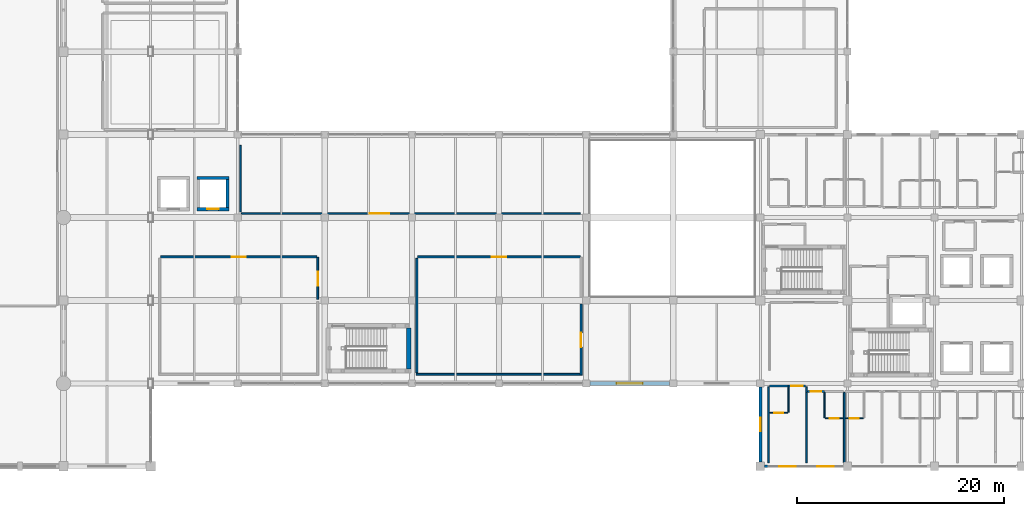
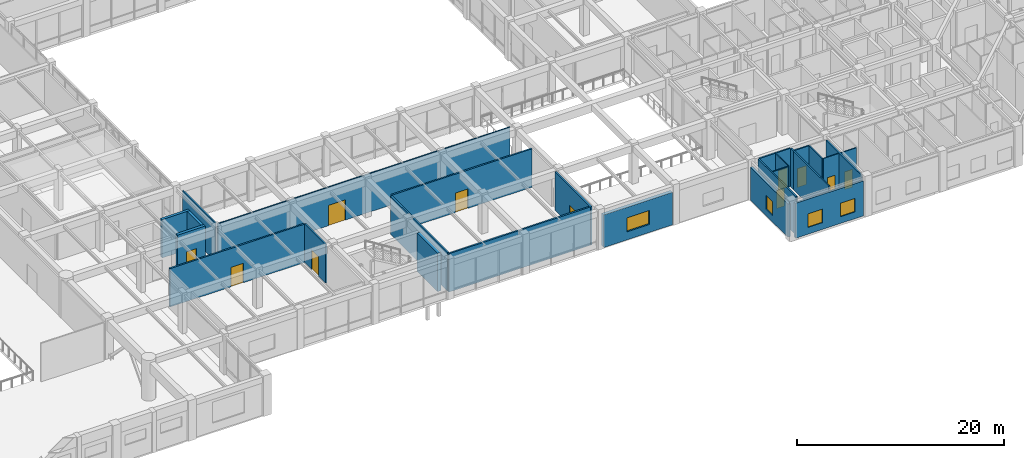
# One storey, part 52 of 76: 27 walls, 11 doors, 4 windows, 15 openings.
"""IFC4 building model written with IfcOpenShell, lengths in metres."""

from ifc_helpers import new_model, si_unit, direction, frame, frame_2d, origin, place, context, subcontext, project, spatial, rectangle, extrude, material, layer, layer_set, type_object, element, fill, save


model = new_model("IFC4")

# Units and contexts
model_context = context("Model", 3, precision=1e-05, world=origin(), true_north=direction((0.0, 1.0)))
body_context = subcontext(model_context, "Body", "Model", "MODEL_VIEW")
ifc_project = project(units=[si_unit("LENGTHUNIT", "METRE"), si_unit("AREAUNIT", "SQUARE_METRE"), si_unit("VOLUMEUNIT", "CUBIC_METRE"), si_unit("PLANEANGLEUNIT", "RADIAN"), si_unit("MASSUNIT", "GRAM", prefix="KILO")], contexts=[model_context])

# Site, building, storey
site_placement = place(None, origin())
site = spatial("IfcSite", under=ifc_project, at=site_placement, CompositionType="ELEMENT")
building_placement = place(site_placement, origin())
building = spatial("IfcBuilding", under=site, at=building_placement, Name="Naruveol Harbour Congress Hotel", CompositionType="ELEMENT")
storey_placement = place(building_placement, frame((0.0, 0.0, 11.39990234375)))
storey = spatial("IfcBuildingStorey", under=building, at=storey_placement, Name="L02", CompositionType="ELEMENT", Elevation=11.39990234375)

# Wall, opening, door
ifc_material_1 = material(Name="Autoclaved Aerated Concrete Block", Category="concrete")
ifc_layer_1 = layer(ifc_material_1, 0.179931640625)
ifc_layer_set_1 = layer_set([ifc_layer_1], Name="Autoclaved Aerated Concrete Block")
wall_type_1 = type_object("IfcWallType", Name="ACOUSTIC HALL PARTITION WALL 180 EI60", PredefinedType="PARTITIONING", material=ifc_layer_set_1)
wall_1_placement = place(storey_placement, frame((59.760009765625, 20.199951171875, 0.0), z_axis=(0.0, 0.0, 1.0), x_axis=(1.0, 0.0, 0.0)))
wall_1 = element("IfcWall", 1, at=wall_1_placement, inside=storey, type_object=wall_type_1, Name="Diplomatic Briefing Suite 201 north entry wall PW-180", PredefinedType="PARTITIONING", context=body_context, shape_type="SweptSolid", body=[
    extrude(rectangle(XDim=15.080078125, YDim=0.179931640625, at=frame_2d((7.5400390625, 0.0))), origin(), (0.0, 0.0, 1.0), 4.53515625),
])
opening_1_placement = place(wall_1_placement, frame((6.85009765625, 0.0, 0.0)))
opening_1 = element("IfcOpeningElement", 2, at=opening_1_placement, cuts=wall_1, Name="Opening ID-BD-65", PredefinedType="OPENING", context=body_context, shape_type="SweptSolid", body=[
    extrude(rectangle(XDim=1.3798828125, YDim=2.300048828125, at=frame_2d((0.68994140625, 1.14990234375))), frame((0.0, 0.099853515625, 0.0), z_axis=(0.0, -1.0, 0.0), x_axis=(1.0, 0.0, 0.0)), (0.0, 0.0, 1.0), 0.199951171875),
])
ifc_material_2 = material(Name="Timber & Steel Acoustic Leaf", Category="steel")
door_type_1 = type_object("IfcDoorType", Name="BOARDROOM GLAZED DOUBLE DOOR 1380X2300", OperationType="DOUBLE_DOOR_SINGLE_SWING", PredefinedType="DOOR", material=ifc_material_2)
door_1_placement = place(opening_1_placement, origin())
door_1 = element("IfcDoor", 3, at=door_1_placement, inside=storey, type_object=door_type_1, Name="Diplomatic Briefing Suite 201 Entrance Door", OperationType="DOUBLE_DOOR_SINGLE_SWING", OverallHeight=2.300048828125, OverallWidth=1.3798828125, PredefinedType="DOOR", context=body_context, shape_type="SweptSolid", body=[
    extrude(rectangle(XDim=1.3798828125, YDim=2.300048828125, at=frame_2d((0.68994140625, 1.14990234375))), frame((0.0, 0.02490234375, 0.0), z_axis=(0.0, -1.0, 0.0), x_axis=(1.0, 0.0, 0.0)), (0.0, 0.0, 1.0), 0.050048828125),
])
fill(opening_1, door_1)

wall_2_placement = place(storey_placement, frame((84.56005859375, 20.199951171875, 0.0), z_axis=(0.0, 0.0, 1.0), x_axis=(1.0, 0.0, 0.0)))
wall_2 = element("IfcWall", 4, at=wall_2_placement, inside=storey, type_object=wall_type_1, Name="International Press Conference Room north entry wall PW-180", PredefinedType="PARTITIONING", context=body_context, shape_type="SweptSolid", body=[
    extrude(rectangle(XDim=15.679931640625, YDim=0.179931640625, at=frame_2d((7.83984375, 0.0))), origin(), (0.0, 0.0, 1.0), 4.53515625),
])
opening_2_placement = place(wall_2_placement, frame((7.14990234375, 0.0, 0.0)))
opening_2 = element("IfcOpeningElement", 5, at=opening_2_placement, cuts=wall_2, Name="Opening ID-BD-66", PredefinedType="OPENING", context=body_context, shape_type="SweptSolid", body=[
    extrude(rectangle(XDim=1.3798828125, YDim=2.300048828125, at=frame_2d((0.68994140625, 1.14990234375))), frame((0.0, 0.099853515625, 0.0), z_axis=(0.0, -1.0, 0.0), x_axis=(1.0, 0.0, 0.0)), (0.0, 0.0, 1.0), 0.199951171875),
])
door_2_placement = place(opening_2_placement, origin())
door_2 = element("IfcDoor", 6, at=door_2_placement, inside=storey, type_object=door_type_1, Name="International Press Conference Room Entrance Door", OperationType="DOUBLE_DOOR_SINGLE_SWING", OverallHeight=2.300048828125, OverallWidth=1.3798828125, PredefinedType="DOOR", context=body_context, shape_type="SweptSolid", body=[
    extrude(rectangle(XDim=1.3798828125, YDim=2.300048828125, at=frame_2d((0.68994140625, 1.14990234375))), frame((0.0, 0.02490234375, 0.0), z_axis=(0.0, -1.0, 0.0), x_axis=(1.0, 0.0, 0.0)), (0.0, 0.0, 1.0), 0.050048828125),
])
fill(opening_2, door_2)

# Wall
wall_3_placement = place(storey_placement, frame((84.47998046875, 9.050048828125, 0.0), z_axis=(0.0, 0.0, 1.0), x_axis=(0.0, 1.0, 0.0)))
element("IfcWall", 7, at=wall_3_placement, inside=storey, type_object=wall_type_1, Name="International Press Conference Room west partition PW-180", PredefinedType="PARTITIONING", context=body_context, shape_type="SweptSolid", body=[
    extrude(rectangle(XDim=11.010009765625, YDim=0.179931640625, at=frame_2d((5.5048828125, 0.0))), origin(), (0.0, 0.0, 1.0), 4.53515625),
])

# Wall, opening, door
wall_4_placement = place(storey_placement, frame((74.919921875, 16.10009765625, 0.0), z_axis=(0.0, 0.0, 1.0), x_axis=(0.0, 1.0, 0.0)))
wall_4 = element("IfcWall", 8, at=wall_4_placement, inside=storey, type_object=wall_type_1, Name="Diplomatic Briefing Suite 201 east enclosure partition PW-180", PredefinedType="PARTITIONING", context=body_context, shape_type="SweptSolid", body=[
    extrude(rectangle(XDim=4.06787109375, YDim=0.179931640625, at=frame_2d((2.033935546875, 0.0))), origin(), (0.0, 0.0, 1.0), 4.53515625),
])
opening_3_placement = place(wall_4_placement, frame((1.300048828125, 0.0, 0.0)))
opening_3 = element("IfcOpeningElement", 9, at=opening_3_placement, cuts=wall_4, Name="Opening ID-BD-65B", PredefinedType="OPENING", context=body_context, shape_type="SweptSolid", body=[
    extrude(rectangle(XDim=1.3798828125, YDim=2.300048828125, at=frame_2d((0.68994140625, 1.14990234375))), frame((0.0, 0.099853515625, 0.0), z_axis=(0.0, -1.0, 0.0), x_axis=(1.0, 0.0, 0.0)), (0.0, 0.0, 1.0), 0.199951171875),
])
door_3_placement = place(opening_3_placement, origin())
door_3 = element("IfcDoor", 10, at=door_3_placement, inside=storey, type_object=door_type_1, Name="Diplomatic Briefing Suite 201 Second Exit Door", OperationType="DOUBLE_DOOR_SINGLE_SWING", OverallHeight=2.300048828125, OverallWidth=1.3798828125, PredefinedType="DOOR", context=body_context, shape_type="SweptSolid", body=[
    extrude(rectangle(XDim=1.3798828125, YDim=2.300048828125, at=frame_2d((0.68994140625, 1.14990234375))), frame((0.0, 0.02490234375, 0.0), z_axis=(0.0, -1.0, 0.0), x_axis=(1.0, 0.0, 0.0)), (0.0, 0.0, 1.0), 0.050048828125),
])
fill(opening_3, door_3)

wall_5_placement = place(storey_placement, frame((100.320068359375, 8.800048828125, 0.0), z_axis=(0.0, 0.0, 1.0), x_axis=(0.0, 1.0, 0.0)))
wall_5 = element("IfcWall", 11, at=wall_5_placement, inside=storey, type_object=wall_type_1, Name="International Press Conference Room east enclosure partition PW-180", PredefinedType="PARTITIONING", context=body_context, shape_type="SweptSolid", body=[
    extrude(rectangle(XDim=6.85498046875, YDim=0.179931640625, at=frame_2d((3.427490234375, 0.0))), origin(), (0.0, 0.0, 1.0), 4.53515625),
])
opening_4_placement = place(wall_5_placement, frame((2.699951171875, 0.0, 0.0)))
opening_4 = element("IfcOpeningElement", 12, at=opening_4_placement, cuts=wall_5, Name="Opening ID-BD-66B", PredefinedType="OPENING", context=body_context, shape_type="SweptSolid", body=[
    extrude(rectangle(XDim=1.3798828125, YDim=2.300048828125, at=frame_2d((0.68994140625, 1.14990234375))), frame((0.0, 0.099853515625, 0.0), z_axis=(0.0, -1.0, 0.0), x_axis=(1.0, 0.0, 0.0)), (0.0, 0.0, 1.0), 0.199951171875),
])
door_4_placement = place(opening_4_placement, origin())
door_4 = element("IfcDoor", 13, at=door_4_placement, inside=storey, type_object=door_type_1, Name="International Press Conference Room Second Exit Door", OperationType="DOUBLE_DOOR_SINGLE_SWING", OverallHeight=2.300048828125, OverallWidth=1.3798828125, PredefinedType="DOOR", context=body_context, shape_type="SweptSolid", body=[
    extrude(rectangle(XDim=1.3798828125, YDim=2.300048828125, at=frame_2d((0.68994140625, 1.14990234375))), frame((0.0, 0.02490234375, 0.0), z_axis=(0.0, -1.0, 0.0), x_axis=(1.0, 0.0, 0.0)), (0.0, 0.0, 1.0), 0.050048828125),
])
fill(opening_4, door_4)

# Wall
wall_6_placement = place(storey_placement, frame((84.39990234375, 8.8798828125, 0.0), z_axis=(0.0, 0.0, 1.0), x_axis=(1.0, 0.0, 0.0)))
element("IfcWall", 14, at=wall_6_placement, inside=storey, type_object=wall_type_1, Name="International Press Conference Room south enclosure partition PW-180", PredefinedType="PARTITIONING", context=body_context, shape_type="SweptSolid", body=[
    extrude(rectangle(XDim=15.830078125, YDim=0.179931640625, at=frame_2d((7.9150390625, 0.0))), origin(), (0.0, 0.0, 1.0), 4.53515625),
])

# Wall, opening, door
ifc_material_3 = material(Name="Acoustic Double Stud Gypsum", Category="gypsum")
ifc_layer_2 = layer(ifc_material_3, 0.139892578125)
ifc_layer_set_2 = layer_set([ifc_layer_2], Name="Acoustic Double Stud Gypsum")
wall_type_2 = type_object("IfcWallType", Name="ACOUSTIC MEETING PARTITION WALL 140", PredefinedType="PARTITIONING", material=ifc_layer_set_2)
wall_7_placement = place(storey_placement, frame((67.56005859375, 24.39990234375, 0.0), z_axis=(0.0, 0.0, 1.0), x_axis=(1.0, 0.0, 0.0)))
wall_7 = element("IfcWall", 15, at=wall_7_placement, inside=storey, type_object=wall_type_2, Name="Courtyard Delegates Exhibition Salon south entry wall PW-140", PredefinedType="PARTITIONING", context=body_context, shape_type="SweptSolid", body=[
    extrude(rectangle(XDim=32.679931640625, YDim=0.139892578125, at=frame_2d((16.33984375, 0.0))), origin(), (0.0, 0.0, 1.0), 4.53515625),
])
opening_5_placement = place(wall_7_placement, frame((12.360107421875, 0.0, 0.0)))
opening_5 = element("IfcOpeningElement", 16, at=opening_5_placement, cuts=wall_7, Name="Opening ID-LG-67", PredefinedType="OPENING", context=body_context, shape_type="SweptSolid", body=[
    extrude(rectangle(XDim=1.89990234375, YDim=2.39990234375, at=frame_2d((0.949951171875, 1.199951171875))), frame((0.0, 0.079833984375, 0.0), z_axis=(0.0, -1.0, 0.0), x_axis=(1.0, 0.0, 0.0)), (0.0, 0.0, 1.0), 0.159912109375),
])
ifc_material_4 = material(Name="Timber & Steel Acoustic Leaf", Category="steel")
door_type_2 = type_object("IfcDoorType", Name="RESTAURANT AND LOUNGE GLAZED DOOR 1900X2400", OperationType="DOUBLE_DOOR_SINGLE_SWING", PredefinedType="DOOR", material=ifc_material_4)
door_5_placement = place(opening_5_placement, origin())
door_5 = element("IfcDoor", 17, at=door_5_placement, inside=storey, type_object=door_type_2, Name="Courtyard Delegates Exhibition Salon Entrance Door", OperationType="DOUBLE_DOOR_SINGLE_SWING", OverallHeight=2.39990234375, OverallWidth=1.89990234375, PredefinedType="DOOR", context=body_context, shape_type="SweptSolid", body=[
    extrude(rectangle(XDim=1.89990234375, YDim=2.39990234375, at=frame_2d((0.949951171875, 1.199951171875))), frame((0.0, 0.02490234375, 0.0), z_axis=(0.0, -1.0, 0.0), x_axis=(1.0, 0.0, 0.0)), (0.0, 0.0, 1.0), 0.050048828125),
])
fill(opening_5, door_5)

# Wall
wall_8_placement = place(storey_placement, frame((67.47998046875, 24.5400390625, 0.0), z_axis=(0.0, 0.0, 1.0), x_axis=(0.0, 1.0, 0.0)))
element("IfcWall", 18, at=wall_8_placement, inside=storey, type_object=wall_type_2, Name="Courtyard Delegates Exhibition Salon west partition PW-140", PredefinedType="PARTITIONING", context=body_context, shape_type="SweptSolid", body=[
    extrude(rectangle(XDim=6.409912109375, YDim=0.139892578125, at=frame_2d((3.205078125, 0.0))), origin(), (0.0, 0.0, 1.0), 4.53515625),
])

# Wall, opening, window
ifc_material_5 = material(Name="Precast concrete C40/50", Category="concrete")
ifc_layer_3 = layer(ifc_material_5, 0.280029296875)
ifc_layer_set_3 = layer_set([ifc_layer_3], Name="Precast concrete C40/50")
wall_type_3 = type_object("IfcWallType", Name="ARCHITECTURAL PRECAST FACADE WALL 280", PredefinedType="SOLIDWALL", material=ifc_layer_set_3)
wall_9_placement = place(storey_placement, frame((117.60009765625, 0.39990234375, 0.0), z_axis=(0.0, 0.0, 1.0), x_axis=(0.0, 1.0, 0.0)))
wall_9 = element("IfcWall", 19, at=wall_9_placement, inside=storey, type_object=wall_type_3, Name="Hotel west gable wall L02 EW-280", PredefinedType="SOLIDWALL", context=body_context, shape_type="SweptSolid", body=[
    extrude(rectangle(XDim=7.25, YDim=0.280029296875, at=frame_2d((3.625, 0.0))), origin(), (0.0, 0.0, 1.0), 3.900146484375),
])
opening_6_placement = place(wall_9_placement, frame((2.97509765625, 0.0, 0.75)))
opening_6 = element("IfcOpeningElement", 20, at=opening_6_placement, cuts=wall_9, Name="Opening W-27", PredefinedType="OPENING", context=body_context, shape_type="SweptSolid", body=[
    extrude(rectangle(XDim=1.300048828125, YDim=1.64990234375, at=frame_2d((0.64990234375, 0.824951171875))), frame((0.0, 0.14990234375, 0.0), z_axis=(0.0, -1.0, 0.0), x_axis=(1.0, 0.0, 0.0)), (0.0, 0.0, 1.0), 0.300048828125),
])
ifc_material_6 = material(Name="Low-E Triple Glazing in Thermal Aluminium", Category="aluminium")
window_type_1 = type_object("IfcWindowType", Name="READING SALON TALL WINDOW 1300X1650", PartitioningType="SINGLE_PANEL", PredefinedType="WINDOW", material=ifc_material_6)
window_1_placement = place(opening_6_placement, origin())
window_1 = element("IfcWindow", 21, at=window_1_placement, inside=storey, type_object=window_type_1, Name="Window W-27 #224", OverallHeight=1.64990234375, OverallWidth=1.300048828125, PartitioningType="SINGLE_PANEL", PredefinedType="WINDOW", context=body_context, shape_type="SweptSolid", body=[
    extrude(rectangle(XDim=1.300048828125, YDim=1.64990234375, at=frame_2d((0.64990234375, 0.824951171875))), frame((0.0, 0.030029296875, 0.0), z_axis=(0.0, -1.0, 0.0), x_axis=(1.0, 0.0, 0.0)), (0.0, 0.0, 1.0), 0.06005859375),
])
fill(opening_6, window_1)

# Wall
ifc_material_7 = material(Name="Moisture-Resistant Gypsum Partition", Category="gypsum")
ifc_layer_4 = layer(ifc_material_7, 0.114990234375)
ifc_layer_set_4 = layer_set([ifc_layer_4], Name="Moisture-Resistant Gypsum Partition")
wall_type_4 = type_object("IfcWallType", Name="BATHROOM MOISTURE PARTITION WALL 115", PredefinedType="PARTITIONING", material=ifc_layer_set_4)
wall_10_placement = place(storey_placement, frame((120.31005859375, 5.219970703125, 0.0), z_axis=(0.0, 0.0, 1.0), x_axis=(0.0, 1.0, 0.0)))
element("IfcWall", 22, at=wall_10_placement, inside=storey, type_object=wall_type_4, Name="Bathroom east wall 0301 PW-115", PredefinedType="PARTITIONING", context=body_context, shape_type="SweptSolid", body=[
    extrude(rectangle(XDim=2.449951171875, YDim=0.114990234375, at=frame_2d((1.22509765625, 0.0))), origin(), (0.0, 0.0, 1.0), 4.53515625),
])

# Wall, opening, door
wall_11_placement = place(storey_placement, frame((118.5, 5.159912109375, 0.0), z_axis=(0.0, 0.0, 1.0), x_axis=(1.0, 0.0, 0.0)))
wall_11 = element("IfcWall", 23, at=wall_11_placement, inside=storey, type_object=wall_type_4, Name="Bathroom south wall 0301 PW-115", PredefinedType="PARTITIONING", context=body_context, shape_type="SweptSolid", body=[
    extrude(rectangle(XDim=1.75, YDim=0.114990234375, at=frame_2d((0.875, 0.0))), origin(), (0.0, 0.0, 1.0), 4.53515625),
])
opening_7_placement = place(wall_11_placement, frame((0.445068359375, 0.0, 0.0)))
opening_7 = element("IfcOpeningElement", 24, at=opening_7_placement, cuts=wall_11, Name="Opening BD-RM0301", PredefinedType="OPENING", context=body_context, shape_type="SweptSolid", body=[
    extrude(rectangle(XDim=0.860107421875, YDim=2.1201171875, at=frame_2d((0.43017578125, 1.06005859375))), frame((0.0, 0.0673828125, 0.0), z_axis=(0.0, -1.0, 0.0), x_axis=(1.0, 0.0, 0.0)), (0.0, 0.0, 1.0), 0.135009765625),
])
ifc_material_8 = material(Name="Timber & Steel Acoustic Leaf", Category="steel")
door_type_3 = type_object("IfcDoorType", Name="GUEST BATHROOM DOOR 860X2120", OperationType="NOTDEFINED", PredefinedType="DOOR", material=ifc_material_8)
door_6_placement = place(opening_7_placement, origin())
door_6 = element("IfcDoor", 25, at=door_6_placement, inside=storey, type_object=door_type_3, Name="Bathroom Door 0301", OperationType="SINGLE_SWING_RIGHT", OverallHeight=2.1201171875, OverallWidth=0.860107421875, PredefinedType="DOOR", context=body_context, shape_type="SweptSolid", body=[
    extrude(rectangle(XDim=0.860107421875, YDim=2.1201171875, at=frame_2d((0.43017578125, 1.06005859375))), frame((0.0, 0.02490234375, 0.0), z_axis=(0.0, -1.0, 0.0), x_axis=(1.0, 0.0, 0.0)), (0.0, 0.0, 1.0), 0.050048828125),
])
fill(opening_7, door_6)

# Wall
wall_12_placement = place(storey_placement, frame((123.780029296875, 4.68994140625, 0.0), z_axis=(0.0, 0.0, 1.0), x_axis=(0.0, 1.0, 0.0)))
element("IfcWall", 26, at=wall_12_placement, inside=storey, type_object=wall_type_4, Name="Bathroom west wall 0302 PW-115", PredefinedType="PARTITIONING", context=body_context, shape_type="SweptSolid", body=[
    extrude(rectangle(XDim=2.449951171875, YDim=0.114990234375, at=frame_2d((1.22509765625, 0.0))), origin(), (0.0, 0.0, 1.0), 4.53515625),
])

# Wall, opening, door
wall_13_placement = place(storey_placement, frame((123.840087890625, 4.6298828125, 0.0), z_axis=(0.0, 0.0, 1.0), x_axis=(1.0, 0.0, 0.0)))
wall_13 = element("IfcWall", 27, at=wall_13_placement, inside=storey, type_object=wall_type_4, Name="Bathroom south wall 0302 PW-115", PredefinedType="PARTITIONING", context=body_context, shape_type="SweptSolid", body=[
    extrude(rectangle(XDim=1.75, YDim=0.114990234375, at=frame_2d((0.875, 0.0))), origin(), (0.0, 0.0, 1.0), 4.53515625),
])
opening_8_placement = place(wall_13_placement, frame((0.445068359375, 0.0, 0.0)))
opening_8 = element("IfcOpeningElement", 28, at=opening_8_placement, cuts=wall_13, Name="Opening BD-RM0302", PredefinedType="OPENING", context=body_context, shape_type="SweptSolid", body=[
    extrude(rectangle(XDim=0.860107421875, YDim=2.1201171875, at=frame_2d((0.43017578125, 1.06005859375))), frame((0.0, 0.0673828125, 0.0), z_axis=(0.0, -1.0, 0.0), x_axis=(1.0, 0.0, 0.0)), (0.0, 0.0, 1.0), 0.135009765625),
])
door_7_placement = place(opening_8_placement, origin())
door_7 = element("IfcDoor", 29, at=door_7_placement, inside=storey, type_object=door_type_3, Name="Bathroom Door 0302", OperationType="SINGLE_SWING_RIGHT", OverallHeight=2.1201171875, OverallWidth=0.860107421875, PredefinedType="DOOR", context=body_context, shape_type="SweptSolid", body=[
    extrude(rectangle(XDim=0.860107421875, YDim=2.1201171875, at=frame_2d((0.43017578125, 1.06005859375))), frame((0.0, 0.02490234375, 0.0), z_axis=(0.0, -1.0, 0.0), x_axis=(1.0, 0.0, 0.0)), (0.0, 0.0, 1.0), 0.050048828125),
])
fill(opening_8, door_7)

wall_14_placement = place(storey_placement, frame((125.7900390625, 4.6298828125, 0.0), z_axis=(0.0, 0.0, 1.0), x_axis=(1.0, 0.0, 0.0)))
wall_14 = element("IfcWall", 30, at=wall_14_placement, inside=storey, type_object=wall_type_4, Name="Bathroom south wall 0303 PW-115", PredefinedType="PARTITIONING", context=body_context, shape_type="SweptSolid", body=[
    extrude(rectangle(XDim=1.75, YDim=0.114990234375, at=frame_2d((0.875, 0.0))), origin(), (0.0, 0.0, 1.0), 4.53515625),
])
opening_9_placement = place(wall_14_placement, frame((0.445068359375, 0.0, 0.0)))
opening_9 = element("IfcOpeningElement", 31, at=opening_9_placement, cuts=wall_14, Name="Opening BD-RM0303", PredefinedType="OPENING", context=body_context, shape_type="SweptSolid", body=[
    extrude(rectangle(XDim=0.860107421875, YDim=2.1201171875, at=frame_2d((0.43017578125, 1.06005859375))), frame((0.0, 0.0673828125, 0.0), z_axis=(0.0, -1.0, 0.0), x_axis=(1.0, 0.0, 0.0)), (0.0, 0.0, 1.0), 0.135009765625),
])
door_8_placement = place(opening_9_placement, origin())
door_8 = element("IfcDoor", 32, at=door_8_placement, inside=storey, type_object=door_type_3, Name="Bathroom Door 0303", OperationType="SINGLE_SWING_RIGHT", OverallHeight=2.1201171875, OverallWidth=0.860107421875, PredefinedType="DOOR", context=body_context, shape_type="SweptSolid", body=[
    extrude(rectangle(XDim=0.860107421875, YDim=2.1201171875, at=frame_2d((0.43017578125, 1.06005859375))), frame((0.0, 0.02490234375, 0.0), z_axis=(0.0, -1.0, 0.0), x_axis=(1.0, 0.0, 0.0)), (0.0, 0.0, 1.0), 0.050048828125),
])
fill(opening_9, door_8)

# Wall
ifc_material_9 = material(Name="Autoclaved Aerated Concrete Block", Category="concrete")
ifc_layer_5 = layer(ifc_material_9, 0.159912109375)
ifc_layer_set_5 = layer_set([ifc_layer_5], Name="Autoclaved Aerated Concrete Block")
wall_type_5 = type_object("IfcWallType", Name="HOTEL PARTY AND CORRIDOR WALL 160 EI60", PredefinedType="PARTITIONING", material=ifc_layer_set_5)
wall_15_placement = place(storey_placement, frame((118.489990234375, 7.760009765625, 0.0), z_axis=(0.0, 0.0, 1.0), x_axis=(1.0, 0.0, 0.0)))
element("IfcWall", 33, at=wall_15_placement, inside=storey, type_object=wall_type_5, Name="Corridor wall 0301B PW-160", PredefinedType="PARTITIONING", context=body_context, shape_type="SweptSolid", body=[
    extrude(rectangle(XDim=1.81005859375, YDim=0.159912109375, at=frame_2d((0.905029296875, 0.0))), origin(), (0.0, 0.0, 1.0), 4.53515625),
])

# Wall, opening, door
wall_16_placement = place(storey_placement, frame((120.31005859375, 7.760009765625, 0.0), z_axis=(0.0, 0.0, 1.0), x_axis=(1.0, 0.0, 0.0)))
wall_16 = element("IfcWall", 34, at=wall_16_placement, inside=storey, type_object=wall_type_5, Name="Corridor entry wall 0301 PW-160", PredefinedType="PARTITIONING", context=body_context, shape_type="SweptSolid", body=[
    extrude(rectangle(XDim=1.639892578125, YDim=0.159912109375, at=frame_2d((0.81982421875, 0.0))), origin(), (0.0, 0.0, 1.0), 4.53515625),
])
opening_10_placement = place(wall_16_placement, frame((0.280029296875, 0.0, 0.0)))
opening_10 = element("IfcOpeningElement", 35, at=opening_10_placement, cuts=wall_16, Name="Opening FD-RM0301", PredefinedType="OPENING", context=body_context, shape_type="SweptSolid", body=[
    extrude(rectangle(XDim=1.080078125, YDim=2.300048828125, at=frame_2d((0.5400390625, 1.14990234375))), frame((0.0, 0.08984375, 0.0), z_axis=(0.0, -1.0, 0.0), x_axis=(1.0, 0.0, 0.0)), (0.0, 0.0, 1.0), 0.179931640625),
])
ifc_material_10 = material(Name="Timber & Steel Acoustic Leaf", Category="steel")
door_type_4 = type_object("IfcDoorType", Name="SUITE ENTRANCE FIRE DOOR 1080X2300", OperationType="NOTDEFINED", PredefinedType="DOOR", material=ifc_material_10)
door_9_placement = place(opening_10_placement, origin())
door_9 = element("IfcDoor", 36, at=door_9_placement, inside=storey, type_object=door_type_4, Name="Hotel Room Door 0301", OperationType="SINGLE_SWING_LEFT", OverallHeight=2.300048828125, OverallWidth=1.080078125, PredefinedType="DOOR", context=body_context, shape_type="SweptSolid", body=[
    extrude(rectangle(XDim=1.080078125, YDim=2.300048828125, at=frame_2d((0.5400390625, 1.14990234375))), frame((0.0, 0.02490234375, 0.0), z_axis=(0.0, -1.0, 0.0), x_axis=(1.0, 0.0, 0.0)), (0.0, 0.0, 1.0), 0.050048828125),
])
fill(opening_10, door_9)

# Walls
wall_17_placement = place(storey_placement, frame((118.39990234375, 0.340087890625, 0.0), z_axis=(0.0, 0.0, 1.0), x_axis=(0.0, 1.0, 0.0)))
element("IfcWall", 37, at=wall_17_placement, inside=storey, type_object=wall_type_5, Name="Hotel party wall 0301 PW-160", PredefinedType="PARTITIONING", context=body_context, shape_type="SweptSolid", body=[
    extrude(rectangle(XDim=7.329833984375, YDim=0.159912109375, at=frame_2d((3.6650390625, 0.0))), origin(), (0.0, 0.0, 1.0), 4.53515625),
])
wall_18_placement = place(storey_placement, frame((122.0400390625, 7.14990234375, 0.0), z_axis=(0.0, 0.0, 1.0), x_axis=(0.0, 1.0, 0.0)))
element("IfcWall", 38, at=wall_18_placement, inside=storey, type_object=wall_type_5, Name="Hotel end party wall 0301 PW-160", PredefinedType="PARTITIONING", context=body_context, shape_type="SweptSolid", body=[
    extrude(rectangle(XDim=0.52001953125, YDim=0.159912109375, at=frame_2d((0.260009765625, 0.0))), origin(), (0.0, 0.0, 1.0), 4.53515625),
])

# Wall, opening, door
wall_19_placement = place(storey_placement, frame((122.1298828125, 7.22998046875, 0.0), z_axis=(0.0, 0.0, 1.0), x_axis=(1.0, 0.0, 0.0)))
wall_19 = element("IfcWall", 39, at=wall_19_placement, inside=storey, type_object=wall_type_5, Name="Corridor entry wall 0302 PW-160", PredefinedType="PARTITIONING", context=body_context, shape_type="SweptSolid", body=[
    extrude(rectangle(XDim=1.650146484375, YDim=0.159912109375, at=frame_2d((0.8251953125, 0.0))), origin(), (0.0, 0.0, 1.0), 4.53515625),
])
opening_11_placement = place(wall_19_placement, frame((0.324951171875, 0.0, 0.0)))
opening_11 = element("IfcOpeningElement", 40, at=opening_11_placement, cuts=wall_19, Name="Opening FD-RM0302", PredefinedType="OPENING", context=body_context, shape_type="SweptSolid", body=[
    extrude(rectangle(XDim=1.0, YDim=2.25, at=frame_2d((0.5, 1.125))), frame((0.0, 0.08984375, 0.0), z_axis=(0.0, -1.0, 0.0), x_axis=(1.0, 0.0, 0.0)), (0.0, 0.0, 1.0), 0.179931640625),
])
ifc_material_11 = material(Name="Timber & Steel Acoustic Leaf", Category="steel")
door_type_5 = type_object("IfcDoorType", Name="DELUXE GUEST ENTRANCE FIRE DOOR 1000X2250", OperationType="NOTDEFINED", PredefinedType="DOOR", material=ifc_material_11)
door_10_placement = place(opening_11_placement, origin())
door_10 = element("IfcDoor", 41, at=door_10_placement, inside=storey, type_object=door_type_5, Name="Hotel Room Door 0302", OperationType="SINGLE_SWING_LEFT", OverallHeight=2.25, OverallWidth=1.0, PredefinedType="DOOR", context=body_context, shape_type="SweptSolid", body=[
    extrude(rectangle(XDim=1.0, YDim=2.25, at=frame_2d((0.5, 1.125))), frame((0.0, 0.02490234375, 0.0), z_axis=(0.0, -1.0, 0.0), x_axis=(1.0, 0.0, 0.0)), (0.0, 0.0, 1.0), 0.050048828125),
])
fill(opening_11, door_10)

# Walls
for number, where, z_axis, x_axis, name in (
    (42, (122.0400390625, 0.340087890625, 0.0), (0.0, 0.0, 1.0), (0.0, 1.0, 0.0), "Hotel party wall 0302 PW-160"),
    (43, (125.68994140625, 0.340087890625, 0.0), (0.0, 0.0, 1.0), (0.0, 1.0, 0.0), "Hotel party wall 0303 PW-160"),
):
    element("IfcWall", number, at=place(storey_placement, frame(where, z_axis=z_axis, x_axis=x_axis)), inside=storey, type_object=wall_type_5, Name=name, PredefinedType="PARTITIONING", context=body_context, shape_type="SweptSolid", body=[
        extrude(rectangle(XDim=6.7998046875, YDim=0.159912109375, at=frame_2d((3.39990234375, 0.0))), origin(), (0.0, 0.0, 1.0), 4.53515625),
    ])

# Wall, opening, window
ifc_material_12 = material(Name="Concrete C40/50", Category="concrete")
ifc_layer_6 = layer(ifc_material_12, 0.3798828125)
ifc_layer_set_6 = layer_set([ifc_layer_6], Name="Concrete C40/50")
wall_type_6 = type_object("IfcWallType", Name="INSULATED GRANITE FACADE WALL 380", PredefinedType="SOLIDWALL", material=ifc_layer_set_6)
wall_20_placement = place(storey_placement, frame((108.85009765625, 8.0, 0.0), z_axis=(0.0, 0.0, 1.0), x_axis=(-1.0, 0.0, 0.0)))
wall_20 = element("IfcWall", 44, at=wall_20_placement, inside=storey, type_object=wall_type_6, Name="Courtyard wing south facade EW-380", PredefinedType="SOLIDWALL", context=body_context, shape_type="SweptSolid", body=[
    extrude(rectangle(XDim=7.7001953125, YDim=0.3798828125, at=frame_2d((3.85009765625, 0.0))), origin(), (0.0, 0.0, 1.0), 3.85009765625),
])
opening_12_placement = place(wall_20_placement, frame((2.60009765625, 0.0, 0.949951171875)))
opening_12 = element("IfcOpeningElement", 45, at=opening_12_placement, cuts=wall_20, Name="Opening W-22", PredefinedType="OPENING", context=body_context, shape_type="SweptSolid", body=[
    extrude(rectangle(XDim=2.5, YDim=1.64990234375, at=frame_2d((1.25, 0.824951171875))), frame((0.0, 0.199951171875, 0.0), z_axis=(0.0, -1.0, 0.0), x_axis=(1.0, 0.0, 0.0)), (0.0, 0.0, 1.0), 0.39990234375),
])
ifc_material_13 = material(Name="Low-E Triple Glazing in Thermal Aluminium", Category="aluminium")
window_type_2 = type_object("IfcWindowType", Name="BREAKOUT SALON WINDOW 2500X1650", PartitioningType="DOUBLE_PANEL_VERTICAL", PredefinedType="WINDOW", material=ifc_material_13)
window_2_placement = place(opening_12_placement, origin())
window_2 = element("IfcWindow", 46, at=window_2_placement, inside=storey, type_object=window_type_2, Name="Window W-22 #147", OverallHeight=1.64990234375, OverallWidth=2.5, PartitioningType="DOUBLE_PANEL_VERTICAL", PredefinedType="WINDOW", context=body_context, shape_type="SweptSolid", body=[
    extrude(rectangle(XDim=2.5, YDim=1.64990234375, at=frame_2d((1.25, 0.824951171875))), frame((0.0, 0.030029296875, 0.0), z_axis=(0.0, -1.0, 0.0), x_axis=(1.0, 0.0, 0.0)), (0.0, 0.0, 1.0), 0.06005859375),
])
fill(opening_12, window_2)

# Wall, openings, windows
ifc_material_14 = material(Name="Concrete C40/50", Category="concrete")
ifc_layer_7 = layer(ifc_material_14, 0.239990234375)
ifc_layer_set_7 = layer_set([ifc_layer_7], Name="Concrete C40/50")
wall_type_7 = type_object("IfcWallType", Name="INSULATED HOTEL SPANDREL WALL 240", PredefinedType="SOLIDWALL", material=ifc_layer_set_7)
wall_21_placement = place(storey_placement, frame((125.60009765625, 0.0, 0.0), z_axis=(0.0, 0.0, 1.0), x_axis=(-1.0, 0.0, 0.0)))
wall_21 = element("IfcWall", 47, at=wall_21_placement, inside=storey, type_object=wall_type_7, Name="Hotel south waterfront wall L02 EW-240", PredefinedType="SOLIDWALL", context=body_context, shape_type="SweptSolid", body=[
    extrude(rectangle(XDim=7.60009765625, YDim=0.239990234375, at=frame_2d((3.800048828125, 0.0))), origin(), (0.0, 0.0, 1.0), 4.130126953125),
])
opening_13_placement = place(wall_21_placement, frame((0.93505859375, 0.0, 0.800048828125)))
opening_13 = element("IfcOpeningElement", 48, at=opening_13_placement, cuts=wall_21, Name="Opening W-03", PredefinedType="OPENING", context=body_context, shape_type="SweptSolid", body=[
    extrude(rectangle(XDim=1.60009765625, YDim=1.60009765625, at=frame_2d((0.800048828125, 0.800048828125))), frame((0.0, 0.1298828125, 0.0), z_axis=(0.0, -1.0, 0.0), x_axis=(1.0, 0.0, 0.0)), (0.0, 0.0, 1.0), 0.260009765625),
])
opening_14_placement = place(wall_21_placement, frame((4.580078125, 0.0, 0.800048828125)))
opening_14 = element("IfcOpeningElement", 49, at=opening_14_placement, cuts=wall_21, Name="Opening W-03", PredefinedType="OPENING", context=body_context, shape_type="SweptSolid", body=[
    extrude(rectangle(XDim=1.60009765625, YDim=1.60009765625, at=frame_2d((0.800048828125, 0.800048828125))), frame((0.0, 0.1298828125, 0.0), z_axis=(0.0, -1.0, 0.0), x_axis=(1.0, 0.0, 0.0)), (0.0, 0.0, 1.0), 0.260009765625),
])
ifc_material_15 = material(Name="Low-E Triple Glazing in Thermal Aluminium", Category="aluminium")
window_type_3 = type_object("IfcWindowType", Name="DELUXE GUEST WINDOW 1600X1600", PartitioningType="SINGLE_PANEL", PredefinedType="WINDOW", material=ifc_material_15)
window_3_placement = place(opening_13_placement, origin())
window_3 = element("IfcWindow", 50, at=window_3_placement, inside=storey, type_object=window_type_3, Name="Window W-03 #184", OverallHeight=1.60009765625, OverallWidth=1.60009765625, PartitioningType="SINGLE_PANEL", PredefinedType="WINDOW", context=body_context, shape_type="SweptSolid", body=[
    extrude(rectangle(XDim=1.60009765625, YDim=1.60009765625, at=frame_2d((0.800048828125, 0.800048828125))), frame((0.0, 0.030029296875, 0.0), z_axis=(0.0, -1.0, 0.0), x_axis=(1.0, 0.0, 0.0)), (0.0, 0.0, 1.0), 0.06005859375),
])
fill(opening_13, window_3)
window_4_placement = place(opening_14_placement, origin())
window_4 = element("IfcWindow", 51, at=window_4_placement, inside=storey, type_object=window_type_3, Name="Window W-03 #185", OverallHeight=1.60009765625, OverallWidth=1.60009765625, PartitioningType="SINGLE_PANEL", PredefinedType="WINDOW", context=body_context, shape_type="SweptSolid", body=[
    extrude(rectangle(XDim=1.60009765625, YDim=1.60009765625, at=frame_2d((0.800048828125, 0.800048828125))), frame((0.0, 0.030029296875, 0.0), z_axis=(0.0, -1.0, 0.0), x_axis=(1.0, 0.0, 0.0)), (0.0, 0.0, 1.0), 0.06005859375),
])
fill(opening_14, window_4)

# Wall
ifc_material_16 = material(Name="Concrete C50/60", Category="concrete")
ifc_layer_8 = layer(ifc_material_16, 0.39990234375)
ifc_layer_set_8 = layer_set([ifc_layer_8], Name="Concrete C50/60")
wall_type_8 = type_object("IfcWallType", Name="RC CORE SHEAR WALL 400 EI120", PredefinedType="SHEAR", material=ifc_layer_set_8)
wall_22_placement = place(storey_placement, frame((83.699951171875, 9.405029296875, 0.0), z_axis=(0.0, 0.0, 1.0), x_axis=(0.0, 1.0, 0.0)))
element("IfcWall", 52, at=wall_22_placement, inside=storey, type_object=wall_type_8, Name="Stair ST10 east core wall CW-400", PredefinedType="SHEAR", context=body_context, shape_type="SweptSolid", body=[
    extrude(rectangle(XDim=3.949951171875, YDim=0.39990234375, at=frame_2d((1.97509765625, 0.0))), origin(), (0.0, 0.0, 1.0), 4.53515625),
])

# Wall, opening, door
ifc_material_17 = material(Name="Concrete C50/60", Category="concrete")
ifc_layer_9 = layer(ifc_material_17, 0.300048828125)
ifc_layer_set_9 = layer_set([ifc_layer_9], Name="Concrete C50/60")
wall_type_9 = type_object("IfcWallType", Name="RC STAIR AND HOISTWAY SHEAR WALL 300 EI120", PredefinedType="SHEAR", material=ifc_layer_set_9)
wall_23_placement = place(storey_placement, frame((63.25, 24.800048828125, 0.0), z_axis=(0.0, 0.0, 1.0), x_axis=(1.0, 0.0, 0.0)))
wall_23 = element("IfcWall", 53, at=wall_23_placement, inside=storey, type_object=wall_type_9, Name="Hoistway south shear wall CL2 SW-300", PredefinedType="SHEAR", context=body_context, shape_type="SweptSolid", body=[
    extrude(rectangle(XDim=3.10009765625, YDim=0.300048828125, at=frame_2d((1.550048828125, 0.0))), origin(), (0.0, 0.0, 1.0), 4.53515625),
])
opening_15_placement = place(wall_23_placement, frame((1.0, 0.0, 0.0)))
opening_15 = element("IfcOpeningElement", 54, at=opening_15_placement, cuts=wall_23, Name="Opening LD-CL2-L02", PredefinedType="OPENING", context=body_context, shape_type="SweptSolid", body=[
    extrude(rectangle(XDim=1.10009765625, YDim=2.199951171875, at=frame_2d((0.550048828125, 1.10009765625))), frame((0.0, 0.159912109375, 0.0), z_axis=(0.0, -1.0, 0.0), x_axis=(1.0, 0.0, 0.0)), (0.0, 0.0, 1.0), 0.320068359375),
])
ifc_material_18 = material(Name="Stainless Steel Lift Door", Category="steel")
door_type_6 = type_object("IfcDoorType", Name="PASSENGER LIFT LANDING DOOR 1100X2200", OperationType="DOUBLE_DOOR_SLIDING", PredefinedType="DOOR", material=ifc_material_18)
door_11_placement = place(opening_15_placement, origin())
door_11 = element("IfcDoor", 55, at=door_11_placement, inside=storey, type_object=door_type_6, Name="Elevator Landing Door CL2 L02", OperationType="DOUBLE_DOOR_SLIDING", OverallHeight=2.199951171875, OverallWidth=1.10009765625, PredefinedType="DOOR", context=body_context, shape_type="SweptSolid", body=[
    extrude(rectangle(XDim=1.10009765625, YDim=2.199951171875, at=frame_2d((0.550048828125, 1.10009765625))), frame((0.0, 0.02490234375, 0.0), z_axis=(0.0, -1.0, 0.0), x_axis=(1.0, 0.0, 0.0)), (0.0, 0.0, 1.0), 0.050048828125),
])
fill(opening_15, door_11)

# Walls
wall_24_placement = place(storey_placement, frame((66.199951171875, 24.955078125, 0.0), z_axis=(0.0, 0.0, 1.0), x_axis=(0.0, 1.0, 0.0)))
element("IfcWall", 56, at=wall_24_placement, inside=storey, type_object=wall_type_9, Name="Hoistway east shear wall CL2 SW-300", PredefinedType="SHEAR", context=body_context, shape_type="SweptSolid", body=[
    extrude(rectangle(XDim=2.68994140625, YDim=0.300048828125, at=frame_2d((1.344970703125, 0.0))), origin(), (0.0, 0.0, 1.0), 4.53515625),
])
wall_25_placement = place(storey_placement, frame((66.35009765625, 27.800048828125, 0.0), z_axis=(0.0, 0.0, 1.0), x_axis=(-1.0, 0.0, 0.0)))
element("IfcWall", 57, at=wall_25_placement, inside=storey, type_object=wall_type_9, Name="Hoistway north shear wall CL2 SW-300", PredefinedType="SHEAR", context=body_context, shape_type="SweptSolid", body=[
    extrude(rectangle(XDim=3.10009765625, YDim=0.300048828125, at=frame_2d((1.550048828125, 0.0))), origin(), (0.0, 0.0, 1.0), 4.53515625),
])

save(model, "model.ifc")
